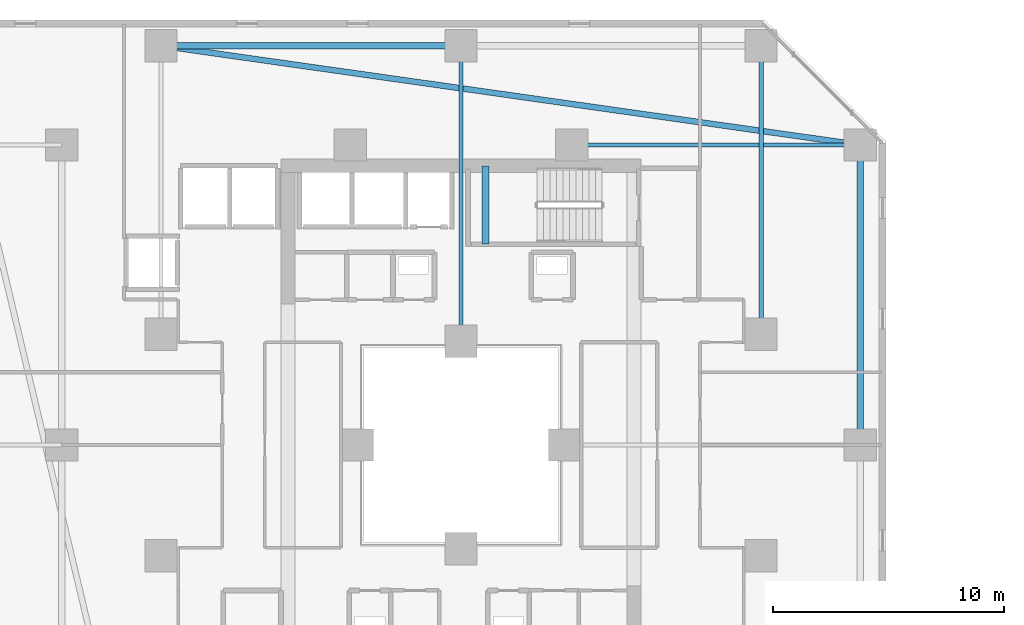
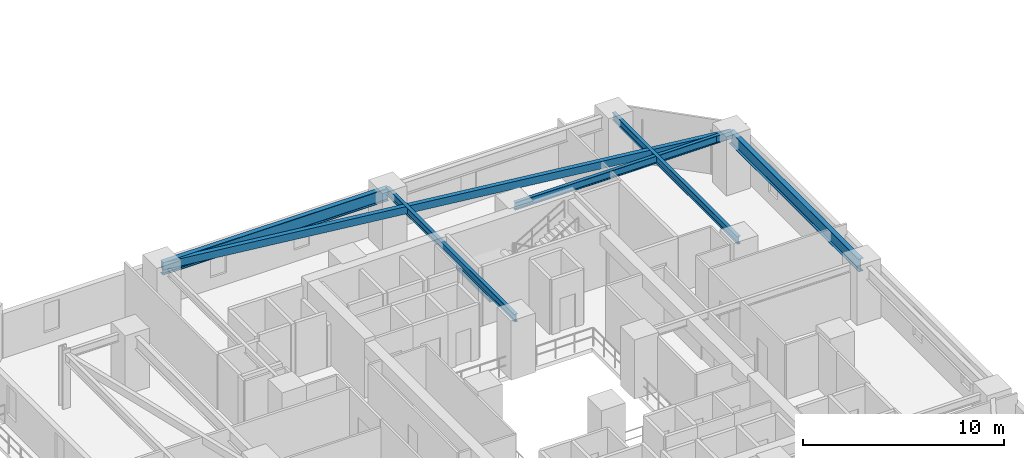
# One storey, part 8 of 33: 7 beams.
"""IFC4 building model written with IfcOpenShell, lengths in metres."""

from ifc_helpers import new_model, si_unit, direction, frame, origin, origin_2d, place, context, subcontext, project, spatial, rectangle, hollow_rectangle, i_section, extrude, material, material_profile, profile_set, type_object, element, save


model = new_model("IFC4")

# Units and contexts
model_context = context("Model", 3, precision=1e-05, world=origin(), true_north=direction((0.0, 1.0)))
body_context = subcontext(model_context, "Body", "Model", "MODEL_VIEW")
ifc_project = project(units=[si_unit("LENGTHUNIT", "METRE"), si_unit("AREAUNIT", "SQUARE_METRE"), si_unit("VOLUMEUNIT", "CUBIC_METRE"), si_unit("PLANEANGLEUNIT", "RADIAN"), si_unit("MASSUNIT", "GRAM", prefix="KILO")], contexts=[model_context])

# Site, building, storey
site_placement = place(None, origin())
site = spatial("IfcSite", under=ifc_project, at=site_placement, CompositionType="ELEMENT")
building_placement = place(site_placement, origin())
building = spatial("IfcBuilding", under=site, at=building_placement, Name="Thornwick Lancets Civic Towers", CompositionType="ELEMENT")
storey_placement = place(building_placement, frame((0.0, 0.0, 38.699951171875)))
storey = spatial("IfcBuildingStorey", under=building, at=storey_placement, Name="L09", CompositionType="ELEMENT", Elevation=38.699951171875)

# Beams
ifc_material_1 = material(Name="Steel S355JR", Category="steel")
ifc_material_profile_1 = material_profile(ifc_material_1, i_section(OverallWidth=0.26806640625, OverallDepth=0.769775390625, WebThickness=0.015625, FlangeThickness=0.025390625, FilletRadius=0.0166015625, at=origin_2d()), Name="UKB 762x267x197")
ifc_profile_set_1 = profile_set([ifc_material_profile_1], Name="Steel S355JR")
beam_type_1 = type_object("IfcBeamType", Name="BM_GIRD_762_197", PredefinedType="BEAM", material=ifc_profile_set_1)
beam_1_placement = place(storey_placement, frame((42.800048828125, 27.080078125, 2.97509765625), z_axis=(0.0, 1.0, 0.0), x_axis=(-1.0, 0.0, 0.0)))
element("IfcBeam", 1, at=beam_1_placement, inside=storey, type_object=beam_type_1, Name="BM-SPINE-L09-A-4-5", PredefinedType="BEAM", context=body_context, shape_type="SweptSolid", body=[
    extrude(i_section(OverallWidth=0.26806640625, OverallDepth=0.769775390625, WebThickness=0.015625, FlangeThickness=0.025390625, FilletRadius=0.0166015625, at=origin_2d()), origin(), (0.0, 0.0, 1.0), 12.919921875),
])
beam_2_placement = place(storey_placement, frame((12.5, 44.300048828125, 2.97509765625), z_axis=(1.0, 0.0, 0.0), x_axis=(0.0, 1.0, 0.0)))
element("IfcBeam", 2, at=beam_2_placement, inside=storey, type_object=beam_type_1, Name="BM-SPINE-L09-A-6-7", PredefinedType="BEAM", context=body_context, shape_type="SweptSolid", body=[
    extrude(i_section(OverallWidth=0.26806640625, OverallDepth=0.769775390625, WebThickness=0.015625, FlangeThickness=0.025390625, FilletRadius=0.0166015625, at=origin_2d()), origin(), (0.0, 0.0, 1.0), 13.0),
])
ifc_material_profile_2 = material_profile(ifc_material_1, i_section(OverallWidth=0.19189453125, OverallDepth=0.46337890625, WebThickness=0.010498046875, FlangeThickness=0.017578125, FilletRadius=0.01025390625, at=origin_2d()), Name="UKB 457x191x89")
ifc_profile_set_2 = profile_set([ifc_material_profile_2], Name="Steel S355JR")
beam_type_2 = type_object("IfcBeamType", Name="BM_JOIST_457_89", PredefinedType="JOIST", material=ifc_profile_set_2)
beam_3_placement = place(storey_placement, frame((30.300048828125, 40.0, 3.12841796875), z_axis=(1.0, 0.0, 0.0), x_axis=(0.0, 1.0, 0.0)))
element("IfcBeam", 3, at=beam_3_placement, inside=storey, type_object=beam_type_2, Name="BM-RADIN-L09-A06", PredefinedType="JOIST", context=body_context, shape_type="SweptSolid", body=[
    extrude(i_section(OverallWidth=0.19189453125, OverallDepth=0.46337890625, WebThickness=0.010498046875, FlangeThickness=0.017578125, FilletRadius=0.01025390625, at=origin_2d()), origin(), (0.0, 0.0, 1.0), 12.5),
])
beam_4_placement = place(storey_placement, frame((25.5, 31.5, 3.12841796875), z_axis=(0.0, 1.0, 0.0), x_axis=(-1.0, 0.0, 0.0)))
element("IfcBeam", 4, at=beam_4_placement, inside=storey, type_object=beam_type_2, Name="BM-RADIN-L09-A08", PredefinedType="JOIST", context=body_context, shape_type="SweptSolid", body=[
    extrude(i_section(OverallWidth=0.19189453125, OverallDepth=0.46337890625, WebThickness=0.010498046875, FlangeThickness=0.017578125, FilletRadius=0.01025390625, at=origin_2d()), origin(), (0.0, 0.0, 1.0), 12.800048828125),
])
beam_5_placement = place(storey_placement, frame((38.5, 31.800048828125, 3.12841796875), z_axis=(0.0, 1.0, 0.0), x_axis=(-1.0, 0.0, 0.0)))
element("IfcBeam", 5, at=beam_5_placement, inside=storey, type_object=beam_type_2, Name="BM-RADIN-L09-A09", PredefinedType="JOIST", context=body_context, shape_type="SweptSolid", body=[
    extrude(i_section(OverallWidth=0.19189453125, OverallDepth=0.46337890625, WebThickness=0.010498046875, FlangeThickness=0.017578125, FilletRadius=0.01025390625, at=origin_2d()), origin(), (0.0, 0.0, 1.0), 12.5),
])
ifc_material_profile_3 = material_profile(ifc_material_1, hollow_rectangle(XDim=0.25, YDim=0.449951171875, WallThickness=0.01611328125, at=origin_2d()), Name="RHS 450x250x16")
ifc_profile_set_3 = profile_set([ifc_material_profile_3], Name="Steel S355JR")
beam_type_3 = type_object("IfcBeamType", Name="BM_RING_RHS450", PredefinedType="BEAM", material=ifc_profile_set_3)
beam_6_placement = place(storey_placement, frame((42.800048828125, 40.0, 3.135009765625), z_axis=(-0.990079584012, 0.140507712682, 0.0), x_axis=(-0.140507712682, -0.990079584012, 0.0)))
element("IfcBeam", 6, at=beam_6_placement, inside=storey, type_object=beam_type_3, Name="BM-CHAMF-L09-A-C1", PredefinedType="BEAM", context=body_context, shape_type="SweptSolid", body=[
    extrude(hollow_rectangle(XDim=0.25, YDim=0.449951171875, WallThickness=0.01611328125, at=origin_2d()), origin(), (0.0, 0.0, 1.0), 30.603759765625),
])
ifc_material_2 = material(Name="Concrete C40/50", Category="concrete")
ifc_material_profile_4 = material_profile(ifc_material_2, rectangle(XDim=0.300048828125, YDim=0.35009765625, at=origin_2d()), Name="RC 300x350")
ifc_profile_set_4 = profile_set([ifc_material_profile_4], Name="Concrete C40/50")
beam_type_4 = type_object("IfcBeamType", Name="BM_STAIR_LDG", PredefinedType="BEAM", material=ifc_profile_set_4)
beam_7_placement = place(storey_placement, frame((26.56494140625, 39.10009765625, 1.3779296875), z_axis=(0.0, -1.0, 0.0), x_axis=(1.0, 0.0, 0.0)))
element("IfcBeam", 7, at=beam_7_placement, inside=storey, type_object=beam_type_4, Name="L09 ST-A2 Landing Support Beam 1", PredefinedType="BEAM", context=body_context, shape_type="SweptSolid", body=[
    extrude(rectangle(XDim=0.300048828125, YDim=0.35009765625, at=origin_2d()), origin(), (0.0, 0.0, 1.0), 3.400146484375),
])

save(model, "model.ifc")
